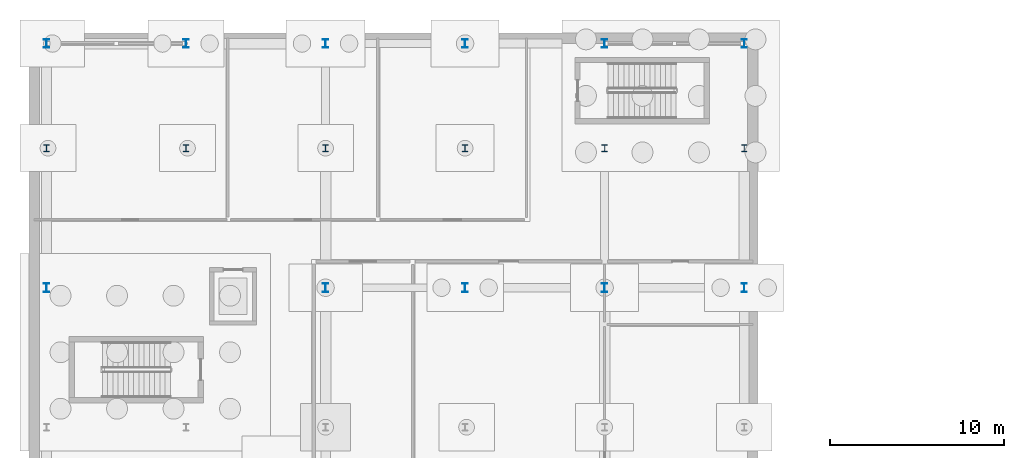
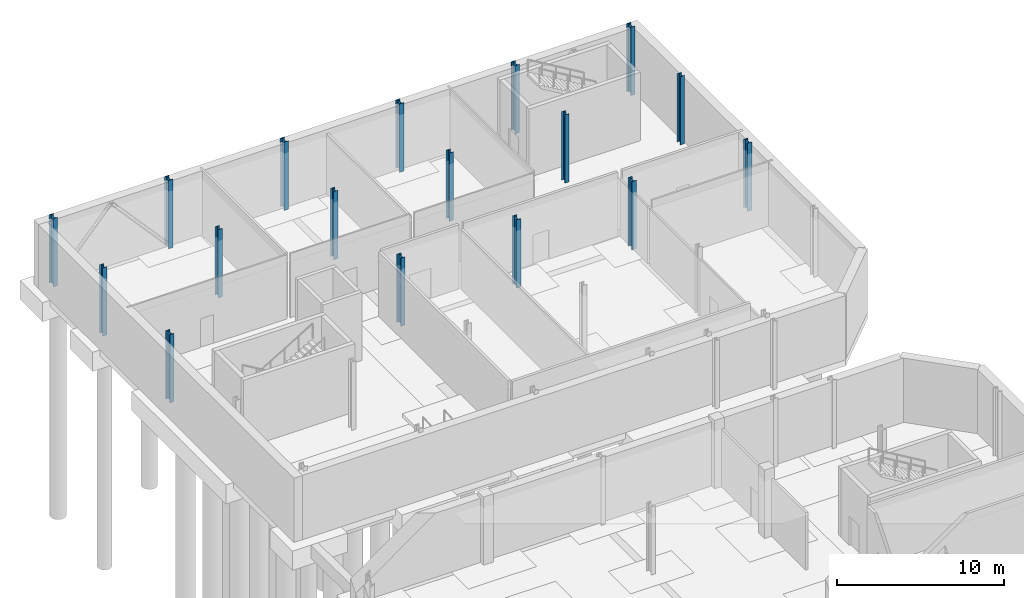
# One storey, part 15 of 47: 17 columns.
"""IFC4 building model written with IfcOpenShell, lengths in metres."""

from ifc_helpers import new_model, si_unit, direction, frame, origin, origin_2d, place, context, subcontext, project, spatial, i_section, extrude, material, material_profile, profile_set, type_object, element, save


model = new_model("IFC4")

# Units and contexts
model_context = context("Model", 3, precision=1e-05, world=origin(), true_north=direction((0.0, 1.0)))
body_context = subcontext(model_context, "Body", "Model", "MODEL_VIEW")
ifc_project = project(units=[si_unit("LENGTHUNIT", "METRE"), si_unit("AREAUNIT", "SQUARE_METRE"), si_unit("VOLUMEUNIT", "CUBIC_METRE"), si_unit("PLANEANGLEUNIT", "RADIAN"), si_unit("MASSUNIT", "GRAM", prefix="KILO")], contexts=[model_context])

# Site, building, storey
site_placement = place(None, origin())
site = spatial("IfcSite", under=ifc_project, at=site_placement, CompositionType="ELEMENT")
building_placement = place(site_placement, origin())
building = spatial("IfcBuilding", under=site, at=building_placement, Name="Cymarion Research Institute", CompositionType="ELEMENT")
storey_placement = place(building_placement, frame((0.0, 0.0, -5.0)))
storey = spatial("IfcBuildingStorey", under=building, at=storey_placement, Name="B1", CompositionType="ELEMENT", Elevation=-5.0)

# Columns
ifc_material = material(Name="Steel S355", Category="steel")
ifc_material_profile_1 = material_profile(ifc_material, i_section(OverallWidth=0.300048828125, OverallDepth=0.5, WebThickness=0.014404296875, FlangeThickness=0.028076171875, FilletRadius=0.027099609375, at=origin_2d()), Name="HEB 500")
ifc_profile_set_1 = profile_set([ifc_material_profile_1], Name="Steel S355")
column_type_1 = type_object("IfcColumnType", Name="STRUCTURAL COLUMN C04 HEB 500", PredefinedType="COLUMN", material=ifc_profile_set_1)
for number, where, z_axis, x_axis, name in (
    (1, (6.60009765625, 101.5, 0.0), (0.0, 0.0, 1.0), (1.0, 0.0, 0.0), "B1 V5 column C04 #17"),
    (2, (6.60009765625, 115.5, 0.0), (0.0, 0.0, 1.0), (1.0, 0.0, 0.0), "B1 V5 column C04 #19"),
    (3, (14.60009765625, 115.5, 0.0), (0.0, 0.0, 1.0), (1.0, 0.0, 0.0), "B1 V5 column C04 #34"),
    (4, (22.60009765625, 101.5, 0.0), (0.0, 0.0, 1.0), (1.0, 0.0, 0.0), "B1 V5 column C04 #48"),
    (5, (22.60009765625, 115.5, 0.0), (0.0, 0.0, 1.0), (1.0, 0.0, 0.0), "B1 V5 column C04 #50"),
    (6, (30.60009765625, 101.5, 0.0), (0.0, 0.0, 1.0), (1.0, 0.0, 0.0), "B1 V5 column C04 #64"),
    (7, (30.60009765625, 115.5, 0.0), (0.0, 0.0, 1.0), (1.0, 0.0, 0.0), "B1 V5 column C04 #66"),
    (8, (38.60009765625, 101.5, 0.0), (0.0, 0.0, 1.0), (1.0, 0.0, 0.0), "B1 V5 column C04 #86"),
    (9, (38.60009765625, 115.5, 0.0), (0.0, 0.0, 1.0), (1.0, 0.0, 0.0), "B1 V5 column C04 #88"),
    (10, (46.60009765625, 101.5, 0.0), (0.0, 0.0, 1.0), (1.0, 0.0, 0.0), "B1 V5 column C04 #105"),
    (11, (46.60009765625, 115.5, 0.0), (0.0, 0.0, 1.0), (1.0, 0.0, 0.0), "B1 V5 column C04 #107"),
):
    element("IfcColumn", number, at=place(storey_placement, frame(where, z_axis=z_axis, x_axis=x_axis)), inside=storey, type_object=column_type_1, Name=name, PredefinedType="COLUMN", context=body_context, shape_type="SweptSolid", body=[
        extrude(i_section(OverallWidth=0.300048828125, OverallDepth=0.5, WebThickness=0.014404296875, FlangeThickness=0.028076171875, FilletRadius=0.027099609375, at=origin_2d()), origin(), (0.0, 0.0, 1.0), 5.0),
    ])
ifc_material_profile_2 = material_profile(ifc_material, i_section(OverallWidth=0.300048828125, OverallDepth=0.389892578125, WebThickness=0.010986328125, FlangeThickness=0.01904296875, FilletRadius=0.027099609375, at=origin_2d()), Name="HEA 400")
ifc_profile_set_2 = profile_set([ifc_material_profile_2], Name="Steel S355")
column_type_2 = type_object("IfcColumnType", Name="STRUCTURAL COLUMN C11 HEA 400", PredefinedType="COLUMN", material=ifc_profile_set_2)
for number, where, z_axis, x_axis, name in (
    (12, (6.60009765625, 109.5, 0.0), (0.0, 0.0, 1.0), (1.0, 0.0, 0.0), "B1 V5 column C11 #18"),
    (13, (14.60009765625, 109.5, 0.0), (0.0, 0.0, 1.0), (1.0, 0.0, 0.0), "B1 V5 column C11 #33"),
    (14, (22.60009765625, 109.5, 0.0), (0.0, 0.0, 1.0), (1.0, 0.0, 0.0), "B1 V5 column C11 #49"),
    (15, (30.60009765625, 109.5, 0.0), (0.0, 0.0, 1.0), (1.0, 0.0, 0.0), "B1 V5 column C11 #65"),
    (16, (38.60009765625, 109.5, 0.0), (0.0, 0.0, 1.0), (1.0, 0.0, 0.0), "B1 V5 column C11 #87"),
    (17, (46.60009765625, 109.5, 0.0), (0.0, 0.0, 1.0), (1.0, 0.0, 0.0), "B1 V5 column C11 #106"),
):
    element("IfcColumn", number, at=place(storey_placement, frame(where, z_axis=z_axis, x_axis=x_axis)), inside=storey, type_object=column_type_2, Name=name, PredefinedType="COLUMN", context=body_context, shape_type="SweptSolid", body=[
        extrude(i_section(OverallWidth=0.300048828125, OverallDepth=0.389892578125, WebThickness=0.010986328125, FlangeThickness=0.01904296875, FilletRadius=0.027099609375, at=origin_2d()), origin(), (0.0, 0.0, 1.0), 5.0),
    ])

save(model, "model.ifc")
